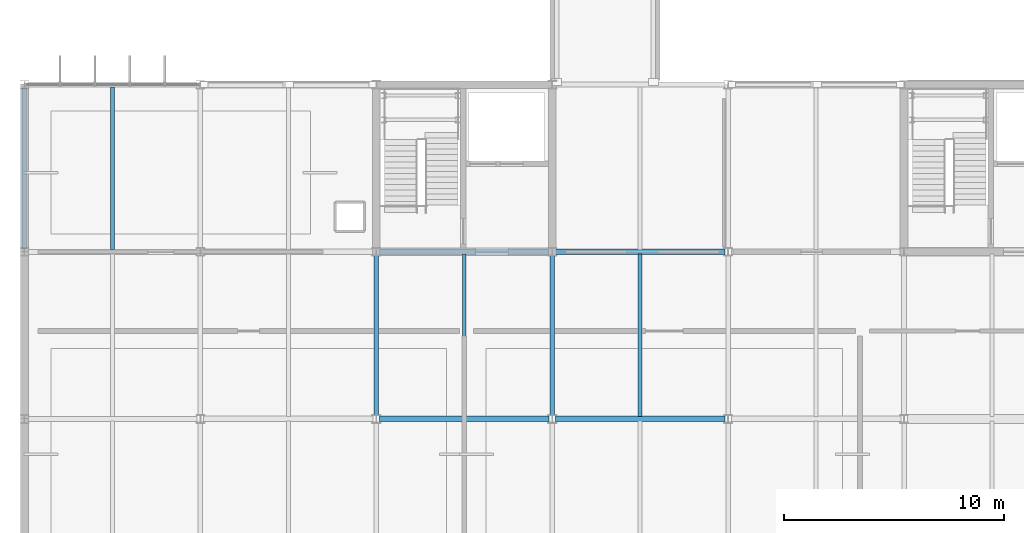
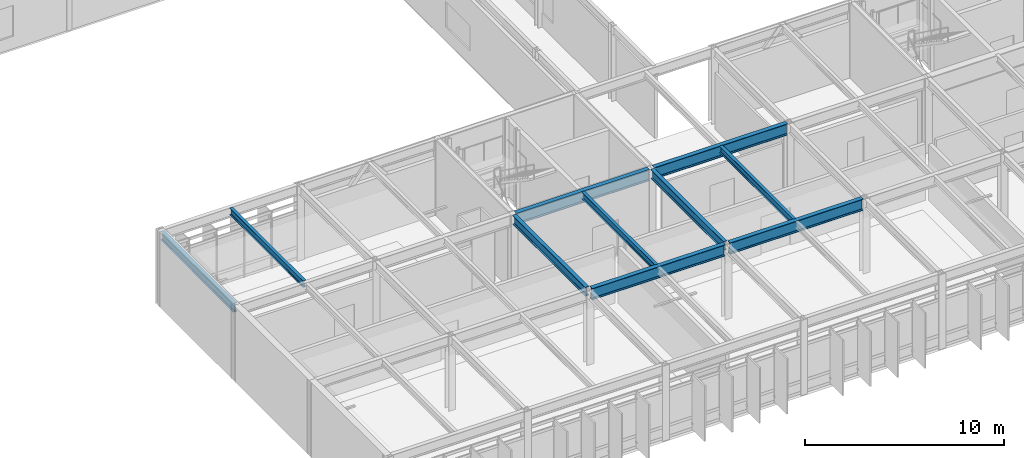
# One storey, part 26 of 104: 10 beams.
"""IFC4 building model written with IfcOpenShell, lengths in metres."""

from ifc_helpers import new_model, si_unit, direction, frame, origin, origin_2d, place, context, subcontext, project, spatial, i_section, extrude, material, material_profile, profile_set, type_object, element, save


model = new_model("IFC4")

# Units and contexts
model_context = context("Model", 3, precision=1e-05, world=origin(), true_north=direction((0.0, 1.0)))
body_context = subcontext(model_context, "Body", "Model", "MODEL_VIEW")
ifc_project = project(units=[si_unit("LENGTHUNIT", "METRE"), si_unit("AREAUNIT", "SQUARE_METRE"), si_unit("VOLUMEUNIT", "CUBIC_METRE"), si_unit("PLANEANGLEUNIT", "RADIAN"), si_unit("MASSUNIT", "GRAM", prefix="KILO")], contexts=[model_context])

# Site, building, storey
site_placement = place(None, origin())
site = spatial("IfcSite", under=ifc_project, at=site_placement, CompositionType="ELEMENT")
building_placement = place(site_placement, origin())
building = spatial("IfcBuilding", under=site, at=building_placement, Name="Zulena Civic Courthouse", CompositionType="ELEMENT")
storey_placement = place(building_placement, frame((0.0, 0.0, 10.800048828125)))
storey = spatial("IfcBuildingStorey", under=building, at=storey_placement, Name="L02", CompositionType="ELEMENT", Elevation=10.800048828125)

# Beams
ifc_material = material(Name="Steel ASTM A992 Grade 50", Category="steel")
ifc_material_profile_1 = material_profile(ifc_material, i_section(OverallWidth=0.214111328125, OverallDepth=0.549072265625, WebThickness=0.0146484375, FlangeThickness=0.023681640625, FilletRadius=0.0126953125, at=origin_2d()), Name="W21X93")
ifc_profile_set_1 = profile_set([ifc_material_profile_1], Name="Steel ASTM A992 Grade 50")
beam_type_1 = type_object("IfcBeamType", Name="Girder_W21X93", PredefinedType="BEAM", material=ifc_profile_set_1)
for number, where, z_axis, x_axis, name in (
    (1, (20.0, 7.7451171875, 4.3154296875), (0.0, 1.0, 0.0), (-1.0, 0.0, 0.0), "beam:Y:V2:L02:20.0:7.6_15.2"),
    (2, (28.0, 7.7451171875, 4.3154296875), (0.0, 1.0, 0.0), (-1.0, 0.0, 0.0), "beam:Y:V2:L02:28.0:7.6_15.2"),
):
    element("IfcBeam", number, at=place(storey_placement, frame(where, z_axis=z_axis, x_axis=x_axis)), inside=storey, type_object=beam_type_1, Name=name, PredefinedType="BEAM", context=body_context, shape_type="SweptSolid", body=[
        extrude(i_section(OverallWidth=0.214111328125, OverallDepth=0.549072265625, WebThickness=0.0146484375, FlangeThickness=0.023681640625, FilletRadius=0.0126953125, at=origin_2d()), origin(), (0.0, 0.0, 1.0), 7.309814453125),
    ])
ifc_material_profile_2 = material_profile(ifc_material, i_section(OverallWidth=0.25390625, OverallDepth=0.701904296875, WebThickness=0.015380859375, FlangeThickness=0.02783203125, FilletRadius=0.0166015625, at=origin_2d()), Name="W27X129")
ifc_profile_set_2 = profile_set([ifc_material_profile_2], Name="Steel ASTM A992 Grade 50")
beam_type_2 = type_object("IfcBeamType", Name="Girder_W27X129", PredefinedType="BEAM", material=ifc_profile_set_2)
for number, where, z_axis, x_axis, name in (
    (3, (20.14501953125, 7.60009765625, 4.239013671875), (1.0, 0.0, 0.0), (0.0, 1.0, 0.0), "beam:X:V2:L02:7.6:20.0_28.0"),
    (4, (28.14501953125, 7.60009765625, 4.239013671875), (1.0, 0.0, 0.0), (0.0, 1.0, 0.0), "beam:X:V2:L02:7.6:28.0_36.0"),
    (5, (20.14501953125, 15.199951171875, 4.239013671875), (1.0, 0.0, 0.0), (0.0, 1.0, 0.0), "beam:X:V2:L02:15.2:20.0_28.0"),
    (6, (28.14501953125, 15.199951171875, 4.239013671875), (1.0, 0.0, 0.0), (0.0, 1.0, 0.0), "beam:X:V2:L02:15.2:28.0_36.0"),
):
    element("IfcBeam", number, at=place(storey_placement, frame(where, z_axis=z_axis, x_axis=x_axis)), inside=storey, type_object=beam_type_2, Name=name, PredefinedType="BEAM", context=body_context, shape_type="SweptSolid", body=[
        extrude(i_section(OverallWidth=0.25390625, OverallDepth=0.701904296875, WebThickness=0.015380859375, FlangeThickness=0.02783203125, FilletRadius=0.0166015625, at=origin_2d()), origin(), (0.0, 0.0, 1.0), 7.7099609375),
    ])
ifc_material_profile_3 = material_profile(ifc_material, i_section(OverallWidth=0.177978515625, OverallDepth=0.406005859375, WebThickness=0.0078125, FlangeThickness=0.0126953125, FilletRadius=0.01025390625, at=origin_2d()), Name="W16X40")
ifc_profile_set_3 = profile_set([ifc_material_profile_3], Name="Steel ASTM A992 Grade 50")
beam_type_3 = type_object("IfcBeamType", Name="Joist_W16X40", PredefinedType="JOIST", material=ifc_profile_set_3)
beam_1_placement = place(storey_placement, frame((8.0, 15.304931640625, 4.386962890625), z_axis=(0.0, 1.0, 0.0), x_axis=(-1.0, 0.0, 0.0)))
element("IfcBeam", 7, at=beam_1_placement, inside=storey, type_object=beam_type_3, Name="joist:V2:L02:8.00:15.2_22.8", PredefinedType="JOIST", context=body_context, shape_type="SweptSolid", body=[
    extrude(i_section(OverallWidth=0.177978515625, OverallDepth=0.406005859375, WebThickness=0.0078125, FlangeThickness=0.0126953125, FilletRadius=0.01025390625, at=origin_2d()), origin(), (0.0, 0.0, 1.0), 7.39013671875),
])
for number, where, z_axis, x_axis, name in (
    (8, (24.0, 7.705078125, 4.386962890625), (0.0, 1.0, 0.0), (-1.0, 0.0, 0.0), "joist:V2:L02:24.00:7.6_15.2"),
    (9, (32.0, 7.705078125, 4.386962890625), (0.0, 1.0, 0.0), (-1.0, 0.0, 0.0), "joist:V2:L02:32.00:7.6_15.2"),
):
    element("IfcBeam", number, at=place(storey_placement, frame(where, z_axis=z_axis, x_axis=x_axis)), inside=storey, type_object=beam_type_3, Name=name, PredefinedType="JOIST", context=body_context, shape_type="SweptSolid", body=[
        extrude(i_section(OverallWidth=0.177978515625, OverallDepth=0.406005859375, WebThickness=0.0078125, FlangeThickness=0.0126953125, FilletRadius=0.01025390625, at=origin_2d()), origin(), (0.0, 0.0, 1.0), 7.389892578125),
    ])
ifc_material_profile_4 = material_profile(ifc_material, i_section(OverallWidth=0.2099609375, OverallDepth=0.537109375, WebThickness=0.010986328125, FlangeThickness=0.017333984375, FilletRadius=0.0126953125, at=origin_2d()), Name="W21X68")
ifc_profile_set_4 = profile_set([ifc_material_profile_4], Name="Steel ASTM A992 Grade 50")
beam_type_4 = type_object("IfcBeamType", Name="Spandrel_W21X68", PredefinedType="SPANDREL", material=ifc_profile_set_4)
beam_2_placement = place(storey_placement, frame((4.0, 15.344970703125, 4.321533203125), z_axis=(0.0, 1.0, 0.0), x_axis=(-1.0, 0.0, 0.0)))
element("IfcBeam", 10, at=beam_2_placement, inside=storey, type_object=beam_type_4, Name="beam:Y:V2:L02:4.0:15.2_22.8", PredefinedType="SPANDREL", context=body_context, shape_type="SweptSolid", body=[
    extrude(i_section(OverallWidth=0.2099609375, OverallDepth=0.537109375, WebThickness=0.010986328125, FlangeThickness=0.017333984375, FilletRadius=0.0126953125, at=origin_2d()), origin(), (0.0, 0.0, 1.0), 7.31005859375),
])

save(model, "model.ifc")
